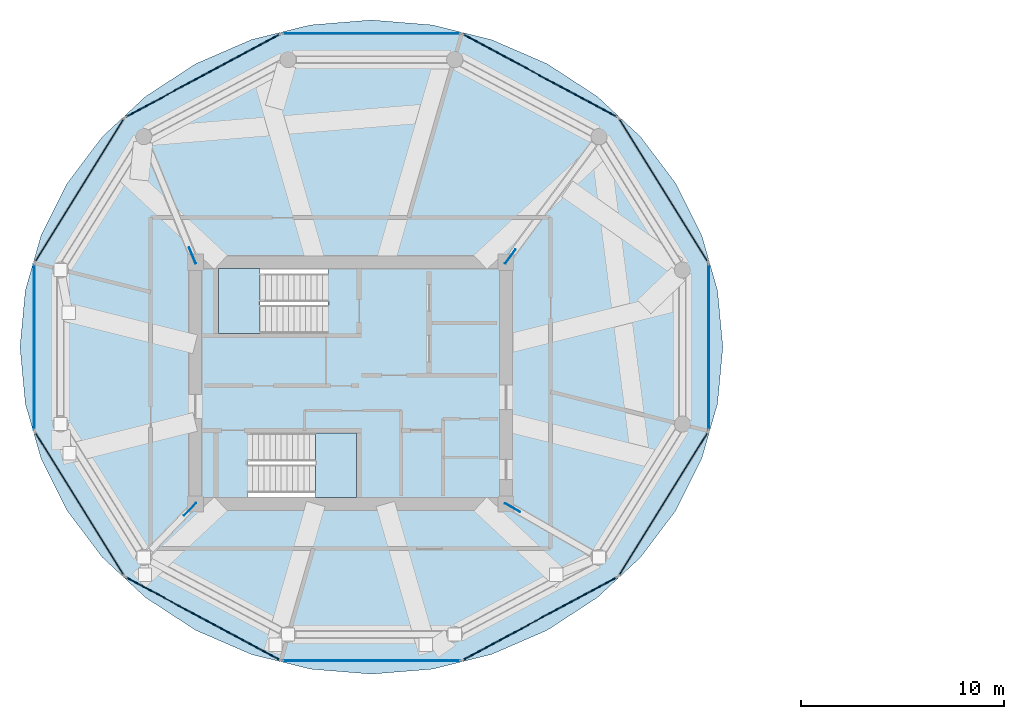
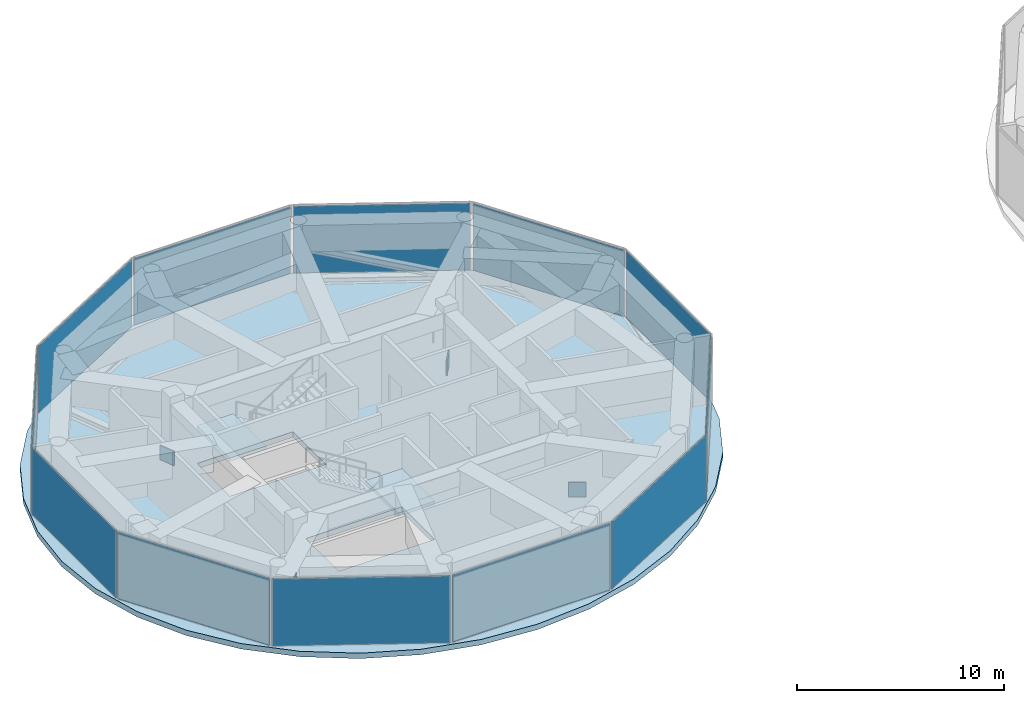
# One storey, part 11 of 20: 16 plates, 3 slabs, 14 elements without a shape of their own.
"""IFC4 building model written with IfcOpenShell, lengths in metres."""

from ifc_helpers import new_model, si_unit, direction, frame, origin, origin_2d, place, context, subcontext, project, spatial, polyline, rectangle, outline, extrude, source, transform, mapped, material, layer, layer_set, type_object, type_shapes, element, aggregate, save


model = new_model("IFC4")

# Units and contexts
model_context = context("Model", 3, precision=1e-05, world=origin(), true_north=direction((0.0, 1.0)))
body_context = subcontext(model_context, "Body", "Model", "MODEL_VIEW")
ifc_project = project(units=[si_unit("LENGTHUNIT", "METRE"), si_unit("AREAUNIT", "SQUARE_METRE"), si_unit("VOLUMEUNIT", "CUBIC_METRE"), si_unit("PLANEANGLEUNIT", "RADIAN"), si_unit("MASSUNIT", "GRAM", prefix="KILO")], contexts=[model_context])

# Site, building, storey
site_placement = place(None, origin())
site = spatial("IfcSite", under=ifc_project, at=site_placement, CompositionType="ELEMENT")
building_placement = place(site_placement, origin())
building = spatial("IfcBuilding", under=site, at=building_placement, Name="Norrkilde Senior Care Towers", CompositionType="ELEMENT")
storey_placement = place(building_placement, frame((0.0, 0.0, 186.14990234375)))
storey = spatial("IfcBuildingStorey", under=building, at=storey_placement, Name="L58", CompositionType="ELEMENT", Elevation=186.14990234375)

# Slab
ifc_material_1 = material(Name="Concrete C50/60", Category="concrete")
ifc_layer_1 = layer(ifc_material_1, 0.320068359375)
ifc_layer_set_1 = layer_set([ifc_layer_1], Name="Concrete C50/60")
slab_type_1 = type_object("IfcSlabType", Name="Podium Clinic Floor Slab 320", PredefinedType="FLOOR", material=ifc_layer_set_1)
slab_1_placement = place(storey_placement, frame((0.0, 0.0, -0.31982421875)))
element("IfcSlab", 1, at=slab_1_placement, inside=storey, type_object=slab_type_1, Name="L58 Drum W Structural Floor Slab", PredefinedType="FLOOR", context=body_context, shape_type="SweptSolid", body=[
    extrude(outline(polyline([(-10.71826171875, -3.731201171875), (-11.99267578125, -6.274658203125), (-13.722412109375, -8.573486328125), (-15.854736328125, -10.557861328125), (-18.324951171875, -12.167724609375), (-21.05810546875, -13.353759765625), (-23.970947265625, -14.080078125), (-26.97509765625, -14.32470703125), (-29.97900390625, -14.080078125), (-32.891845703125, -13.353759765625), (-35.625, -12.167724609375), (-38.09521484375, -10.557861328125), (-40.2275390625, -8.573486328125), (-41.957275390625, -6.274658203125), (-43.231689453125, -3.731201171875), (-44.01220703125, -1.020263671875), (-44.27490234375, 1.775390625), (-44.01220703125, 4.571044921875), (-43.231689453125, 7.281982421875), (-41.957275390625, 9.825439453125), (-40.2275390625, 12.124267578125), (-38.09521484375, 14.108642578125), (-35.625, 15.71826171875), (-32.891845703125, 16.904296875), (-29.97900390625, 17.630859375), (-26.97509765625, 17.875244140625), (-23.970947265625, 17.630859375), (-21.05810546875, 16.904296875), (-18.324951171875, 15.71826171875), (-15.854736328125, 14.108642578125), (-13.722412109375, 12.124267578125), (-11.99267578125, 9.825439453125), (-10.71826171875, 7.281982421875), (-9.937744140625, 4.571044921875), (-9.675048828125, 1.775390625), (-9.937744140625, -1.020263671875), (-10.71826171875, -3.731201171875)]), holes=[polyline([(-34.48193359375, 2.468017578125), (-29.117919921875, 2.468017578125), (-29.117919921875, 5.639892578125), (-34.48193359375, 5.639892578125), (-34.48193359375, 2.468017578125)]), polyline([(-27.718017578125, -5.639892578125), (-27.718017578125, -2.468017578125), (-33.08203125, -2.468017578125), (-33.08203125, -5.639892578125), (-27.718017578125, -5.639892578125)])]), origin(), (0.0, 0.0, 1.0), 0.31982421875),
])

# Stair, slab
ifc_material_2 = material(Name="Concrete C45/55", Category="concrete")
stair_type = type_object("IfcStairType", Name="Core Protected Dogleg Stair Refuge 4500", PredefinedType="HALF_TURN_STAIR", material=ifc_material_2)
stair_1_placement = place(storey_placement, origin())
stair_1 = element("IfcStair", 2, at=stair_1_placement, inside=storey, type_object=stair_type, Name="L58 Protected Core Stair W1", PredefinedType="HALF_TURN_STAIR")
ifc_layer_2 = layer(ifc_material_2, 0.199951171875)
ifc_layer_set_2 = layer_set([ifc_layer_2], Name="Concrete C45/55")
slab_type_2 = type_object("IfcSlabType", Name="Stair Landing Slab 200", PredefinedType="LANDING", material=ifc_layer_set_2)
slab_2_placement = place(storey_placement, frame((0.0, 0.0, 2.050048828125)))
slab_2 = element("IfcSlab", 3, at=slab_2_placement, type_object=slab_type_2, Name="ST-W1 landing 1", PredefinedType="LANDING", context=body_context, shape_type="SweptSolid", body=[
    extrude(outline(polyline([(-32.4599609375, 5.639892578125), (-34.5, 5.639892578125), (-34.5, 2.449951171875), (-32.4599609375, 2.449951171875), (-32.4599609375, 5.639892578125)])), origin(), (0.0, 0.0, 1.0), 0.199951171875),
])
aggregate(stair_1, [slab_2])

stair_2_placement = place(storey_placement, origin())
stair_2 = element("IfcStair", 4, at=stair_2_placement, inside=storey, type_object=stair_type, Name="L58 Protected Core Stair W2", PredefinedType="HALF_TURN_STAIR")
slab_3_placement = place(storey_placement, frame((0.0, 0.0, 2.050048828125)))
slab_3 = element("IfcSlab", 5, at=slab_3_placement, type_object=slab_type_2, Name="ST-W2 landing 1", PredefinedType="LANDING", context=body_context, shape_type="SweptSolid", body=[
    extrude(outline(polyline([(-29.739990234375, -5.639892578125), (-27.699951171875, -5.639892578125), (-27.699951171875, -2.449951171875), (-29.739990234375, -2.449951171875), (-29.739990234375, -5.639892578125)])), origin(), (0.0, 0.0, 1.0), 0.199951171875),
])
aggregate(stair_2, [slab_3])

# Plates
ifc_material_3 = material(Name="Steel S355", Category="steel")
ifc_layer_3 = layer(ifc_material_3, 0.034912109375)
ifc_layer_set_3 = layer_set([ifc_layer_3], Name="Steel S355")
plate_type_1 = type_object("IfcPlateType", Name="Truss Node Gusset Plate 35", PredefinedType="USERDEFINED", material=ifc_layer_set_3)
shared_shape_1 = source(origin(), body_context, "Body", "SweptSolid", [
    extrude(rectangle(XDim=0.85009765625, YDim=0.034912109375, at=origin_2d()), origin(), (0.0, 0.0, 1.0), 0.85009765625),
])
type_shapes(plate_type_1, [shared_shape_1])
for number, where, z_axis, x_axis, name in (
    (6, (-35.8994140625, -6.20947265625, 0.125), (0.0, 0.0, 1.0), (-0.693134164058, -0.720808594992, 0.0), "L58 Outrigger Node Assembly ND-1 Gusset Plate"),
    (7, (-20.037841796875, -6.12939453125, 0.125), (0.0, 0.0, 1.0), (0.867009045177, -0.498292399682, 0.0), "L58 Outrigger Node Assembly ND-2 Gusset Plate"),
    (8, (-20.1357421875, 6.2392578125, 0.125), (0.0, 0.0, 1.0), (0.595358091135, 0.803460480248, 0.0), "L58 Outrigger Node Assembly ND-3 Gusset Plate"),
    (9, (-35.786376953125, 6.283203125, 0.125), (0.0, 0.0, 1.0), (-0.378970421098, 0.925408785312, 0.0), "L58 Outrigger Node Assembly ND-4 Gusset Plate"),
):
    element("IfcPlate", number, at=place(storey_placement, frame(where, z_axis=z_axis, x_axis=x_axis)), inside=storey, type_object=plate_type_1, Name=name, ObjectType="GUSSET_PLATE", PredefinedType="USERDEFINED", context=body_context, shape_type="MappedRepresentation", body=[
        mapped(shared_shape_1, transform((0.0, 0.0, 0.0), x_axis=(1.0, 0.0, 0.0), y_axis=(0.0, 1.0, 0.0), z_axis=(0.0, 0.0, 1.0), scale=1.0)),
    ])

# Curtain wall, plate
ifc_material_4 = material(Name="Triple Low-E Insulated Glazing", Category="glass")
ifc_layer_4 = layer(ifc_material_4, 0.18505859375)
ifc_layer_set_4 = layer_set([ifc_layer_4], Name="Triple Low-E Insulated Glazing")
curtain_wall_type = type_object("IfcCurtainWallType", Name="CW6 Zone 4 Crown Pavilion Curtain Wall", PredefinedType="NOTDEFINED", material=ifc_layer_set_4)
curtain_wall_1_placement = place(storey_placement, origin())
curtain_wall_1 = element("IfcCurtainWall", 10, at=curtain_wall_1_placement, inside=storey, type_object=curtain_wall_type, Name="L58 Drum W Curtain Wall 00", PredefinedType="NOTDEFINED")
ifc_material_5 = material(Name="Architectural Terracotta", Category="masonry")
ifc_layer_5 = layer(ifc_material_5, 0.048095703125)
ifc_layer_set_5 = layer_set([ifc_layer_5], Name="Architectural Terracotta")
plate_type_2 = type_object("IfcPlateType", Name="Insulated Terracotta Spandrel Panel 48", PredefinedType="CURTAIN_PANEL", material=ifc_layer_set_5)
shared_shape_2 = source(origin(), body_context, "Body", "SweptSolid", [
    extrude(rectangle(XDim=8.29150390625, YDim=0.048095703125, at=origin_2d()), origin(), (0.0, 0.0, 1.0), 3.949951171875),
])
plate_1_placement = place(storey_placement, frame((-12.603759765625, 9.4931640625, 0.06494140625), z_axis=(0.0, 0.0, 1.0), x_axis=(0.52737270789, -0.84963405474, 0.0)))
plate_1 = element("IfcPlate", 11, at=plate_1_placement, type_object=plate_type_2, Name="CW-6 panel 1.1", PredefinedType="CURTAIN_PANEL", context=body_context, shape_type="MappedRepresentation", body=[
    mapped(shared_shape_2, transform((0.0, 0.0, 0.0), x_axis=(1.0, 0.0, 0.0), y_axis=(0.0, 1.0, 0.0), z_axis=(0.0, 0.0, 1.0), scale=1.0)),
])
aggregate(curtain_wall_1, [plate_1])

curtain_wall_2_placement = place(storey_placement, origin())
curtain_wall_2 = element("IfcCurtainWall", 12, at=curtain_wall_2_placement, inside=storey, type_object=curtain_wall_type, Name="L58 Drum W Curtain Wall 04", PredefinedType="NOTDEFINED")
plate_2_placement = place(storey_placement, frame((-41.346435546875, 9.4931640625, 0.06494140625), z_axis=(0.0, 0.0, 1.0), x_axis=(0.52737270789, 0.84963405474, 0.0)))
plate_2 = element("IfcPlate", 13, at=plate_2_placement, type_object=plate_type_2, Name="CW-6 panel 1.1", PredefinedType="CURTAIN_PANEL", context=body_context, shape_type="MappedRepresentation", body=[
    mapped(shared_shape_2, transform((0.0, 0.0, 0.0), x_axis=(1.0, 0.0, 0.0), y_axis=(0.0, 1.0, 0.0), z_axis=(0.0, 0.0, 1.0), scale=1.0)),
])
aggregate(curtain_wall_2, [plate_2])

curtain_wall_3_placement = place(storey_placement, origin())
curtain_wall_3 = element("IfcCurtainWall", 14, at=curtain_wall_3_placement, inside=storey, type_object=curtain_wall_type, Name="L58 Drum W Curtain Wall 06", PredefinedType="NOTDEFINED")
plate_3_placement = place(storey_placement, frame((-41.346435546875, -5.9423828125, 0.06494140625), z_axis=(0.0, 0.0, 1.0), x_axis=(-0.52737270789, 0.84963405474, 0.0)))
plate_3 = element("IfcPlate", 15, at=plate_3_placement, type_object=plate_type_2, Name="CW-6 panel 1.1", PredefinedType="CURTAIN_PANEL", context=body_context, shape_type="MappedRepresentation", body=[
    mapped(shared_shape_2, transform((0.0, 0.0, 0.0), x_axis=(1.0, 0.0, 0.0), y_axis=(0.0, 1.0, 0.0), z_axis=(0.0, 0.0, 1.0), scale=1.0)),
])
aggregate(curtain_wall_3, [plate_3])

curtain_wall_4_placement = place(storey_placement, origin())
curtain_wall_4 = element("IfcCurtainWall", 16, at=curtain_wall_4_placement, inside=storey, type_object=curtain_wall_type, Name="L58 Drum W Curtain Wall 10", PredefinedType="NOTDEFINED")
plate_4_placement = place(storey_placement, frame((-12.603759765625, -5.9423828125, 0.06494140625), z_axis=(0.0, 0.0, 1.0), x_axis=(-0.52737270789, -0.84963405474, 0.0)))
plate_4 = element("IfcPlate", 17, at=plate_4_placement, type_object=plate_type_2, Name="CW-6 panel 1.1", PredefinedType="CURTAIN_PANEL", context=body_context, shape_type="MappedRepresentation", body=[
    mapped(shared_shape_2, transform((0.0, 0.0, 0.0), x_axis=(1.0, 0.0, 0.0), y_axis=(0.0, 1.0, 0.0), z_axis=(0.0, 0.0, 1.0), scale=1.0)),
])
aggregate(curtain_wall_4, [plate_4])

curtain_wall_5_placement = place(storey_placement, origin())
curtain_wall_5 = element("IfcCurtainWall", 18, at=curtain_wall_5_placement, inside=storey, type_object=curtain_wall_type, Name="L58 Drum W Curtain Wall 01", PredefinedType="NOTDEFINED")
shared_shape_3 = source(origin(), body_context, "Body", "SweptSolid", [
    extrude(rectangle(XDim=8.601806640625, YDim=0.048095703125, at=origin_2d()), origin(), (0.0, 0.0, 1.0), 3.949951171875),
])
plate_5_placement = place(storey_placement, frame((-18.677734375, 15.142822265625, 0.06494140625), z_axis=(0.0, 0.0, 1.0), x_axis=(0.880999524059, -0.47311715104, 0.0)))
plate_5 = element("IfcPlate", 19, at=plate_5_placement, type_object=plate_type_2, Name="CW-6 panel 1.1", PredefinedType="CURTAIN_PANEL", context=body_context, shape_type="MappedRepresentation", body=[
    mapped(shared_shape_3, transform((0.0, 0.0, 0.0), x_axis=(1.0, 0.0, 0.0), y_axis=(0.0, 1.0, 0.0), z_axis=(0.0, 0.0, 1.0), scale=1.0)),
])
aggregate(curtain_wall_5, [plate_5])

curtain_wall_6_placement = place(storey_placement, origin())
curtain_wall_6 = element("IfcCurtainWall", 20, at=curtain_wall_6_placement, inside=storey, type_object=curtain_wall_type, Name="L58 Drum W Curtain Wall 03", PredefinedType="NOTDEFINED")
plate_6_placement = place(storey_placement, frame((-35.272216796875, 15.142822265625, 0.06494140625), z_axis=(0.0, 0.0, 1.0), x_axis=(0.880999524059, 0.47311715104, 0.0)))
plate_6 = element("IfcPlate", 21, at=plate_6_placement, type_object=plate_type_2, Name="CW-6 panel 1.1", PredefinedType="CURTAIN_PANEL", context=body_context, shape_type="MappedRepresentation", body=[
    mapped(shared_shape_3, transform((0.0, 0.0, 0.0), x_axis=(1.0, 0.0, 0.0), y_axis=(0.0, 1.0, 0.0), z_axis=(0.0, 0.0, 1.0), scale=1.0)),
])
aggregate(curtain_wall_6, [plate_6])

curtain_wall_7_placement = place(storey_placement, origin())
curtain_wall_7 = element("IfcCurtainWall", 22, at=curtain_wall_7_placement, inside=storey, type_object=curtain_wall_type, Name="L58 Drum W Curtain Wall 07", PredefinedType="NOTDEFINED")
plate_7_placement = place(storey_placement, frame((-35.272216796875, -11.59228515625, 0.06494140625), z_axis=(0.0, 0.0, 1.0), x_axis=(-0.880999524059, 0.47311715104, 0.0)))
plate_7 = element("IfcPlate", 23, at=plate_7_placement, type_object=plate_type_2, Name="CW-6 panel 1.1", PredefinedType="CURTAIN_PANEL", context=body_context, shape_type="MappedRepresentation", body=[
    mapped(shared_shape_3, transform((0.0, 0.0, 0.0), x_axis=(1.0, 0.0, 0.0), y_axis=(0.0, 1.0, 0.0), z_axis=(0.0, 0.0, 1.0), scale=1.0)),
])
aggregate(curtain_wall_7, [plate_7])

curtain_wall_8_placement = place(storey_placement, origin())
curtain_wall_8 = element("IfcCurtainWall", 24, at=curtain_wall_8_placement, inside=storey, type_object=curtain_wall_type, Name="L58 Drum W Curtain Wall 09", PredefinedType="NOTDEFINED")
plate_8_placement = place(storey_placement, frame((-18.677734375, -11.59228515625, 0.06494140625), z_axis=(0.0, 0.0, 1.0), x_axis=(-0.880999524059, -0.47311715104, 0.0)))
plate_8 = element("IfcPlate", 25, at=plate_8_placement, type_object=plate_type_2, Name="CW-6 panel 1.1", PredefinedType="CURTAIN_PANEL", context=body_context, shape_type="MappedRepresentation", body=[
    mapped(shared_shape_3, transform((0.0, 0.0, 0.0), x_axis=(1.0, 0.0, 0.0), y_axis=(0.0, 1.0, 0.0), z_axis=(0.0, 0.0, 1.0), scale=1.0)),
])
aggregate(curtain_wall_8, [plate_8])

curtain_wall_9_placement = place(storey_placement, origin())
curtain_wall_9 = element("IfcCurtainWall", 26, at=curtain_wall_9_placement, inside=storey, type_object=curtain_wall_type, Name="L58 Drum W Curtain Wall 02", PredefinedType="NOTDEFINED")
shared_shape_4 = source(origin(), body_context, "Body", "SweptSolid", [
    extrude(rectangle(XDim=8.7529296875, YDim=0.048095703125, at=origin_2d()), origin(), (0.0, 0.0, 1.0), 3.949951171875),
])
plate_9_placement = place(storey_placement, frame((-26.97509765625, 17.2109375, 0.06494140625), z_axis=(0.0, 0.0, 1.0), x_axis=(1.0, 0.0, 0.0)))
plate_9 = element("IfcPlate", 27, at=plate_9_placement, type_object=plate_type_2, Name="CW-6 panel 1.1", PredefinedType="CURTAIN_PANEL", context=body_context, shape_type="MappedRepresentation", body=[
    mapped(shared_shape_4, transform((0.0, 0.0, 0.0), x_axis=(1.0, 0.0, 0.0), y_axis=(0.0, 1.0, 0.0), z_axis=(0.0, 0.0, 1.0), scale=1.0)),
])
aggregate(curtain_wall_9, [plate_9])

curtain_wall_10_placement = place(storey_placement, origin())
curtain_wall_10 = element("IfcCurtainWall", 28, at=curtain_wall_10_placement, inside=storey, type_object=curtain_wall_type, Name="L58 Drum W Curtain Wall 08", PredefinedType="NOTDEFINED")
plate_10_placement = place(storey_placement, frame((-26.97509765625, -13.66015625, 0.06494140625), z_axis=(0.0, 0.0, 1.0), x_axis=(-1.0, 0.0, 0.0)))
plate_10 = element("IfcPlate", 29, at=plate_10_placement, type_object=plate_type_2, Name="CW-6 panel 1.1", PredefinedType="CURTAIN_PANEL", context=body_context, shape_type="MappedRepresentation", body=[
    mapped(shared_shape_4, transform((0.0, 0.0, 0.0), x_axis=(1.0, 0.0, 0.0), y_axis=(0.0, 1.0, 0.0), z_axis=(0.0, 0.0, 1.0), scale=1.0)),
])
aggregate(curtain_wall_10, [plate_10])

curtain_wall_11_placement = place(storey_placement, origin())
curtain_wall_11 = element("IfcCurtainWall", 30, at=curtain_wall_11_placement, inside=storey, type_object=curtain_wall_type, Name="L58 Drum W Curtain Wall 05", PredefinedType="NOTDEFINED")
shared_shape_5 = source(origin(), body_context, "Body", "SweptSolid", [
    extrude(rectangle(XDim=8.1318359375, YDim=0.048095703125, at=origin_2d()), origin(), (0.0, 0.0, 1.0), 3.949951171875),
])
type_shapes(plate_type_2, [shared_shape_2, shared_shape_3, shared_shape_4, shared_shape_5])
plate_11_placement = place(storey_placement, frame((-43.569580078125, 1.775390625, 0.06494140625), z_axis=(0.0, 0.0, 1.0), x_axis=(0.0, 1.0, 0.0)))
plate_11 = element("IfcPlate", 31, at=plate_11_placement, type_object=plate_type_2, Name="CW-6 panel 1.1", PredefinedType="CURTAIN_PANEL", context=body_context, shape_type="MappedRepresentation", body=[
    mapped(shared_shape_5, transform((0.0, 0.0, 0.0), x_axis=(1.0, 0.0, 0.0), y_axis=(0.0, 1.0, 0.0), z_axis=(0.0, 0.0, 1.0), scale=1.0)),
])
aggregate(curtain_wall_11, [plate_11])

curtain_wall_12_placement = place(storey_placement, origin())
curtain_wall_12 = element("IfcCurtainWall", 32, at=curtain_wall_12_placement, inside=storey, type_object=curtain_wall_type, Name="L58 Drum W Curtain Wall 11", PredefinedType="NOTDEFINED")
plate_12_placement = place(storey_placement, frame((-10.38037109375, 1.775390625, 0.06494140625), z_axis=(0.0, 0.0, 1.0), x_axis=(0.0, -1.0, 0.0)))
plate_12 = element("IfcPlate", 33, at=plate_12_placement, type_object=plate_type_2, Name="CW-6 panel 1.1", PredefinedType="CURTAIN_PANEL", context=body_context, shape_type="MappedRepresentation", body=[
    mapped(shared_shape_5, transform((0.0, 0.0, 0.0), x_axis=(1.0, 0.0, 0.0), y_axis=(0.0, 1.0, 0.0), z_axis=(0.0, 0.0, 1.0), scale=1.0)),
])
aggregate(curtain_wall_12, [plate_12])

save(model, "model.ifc")
